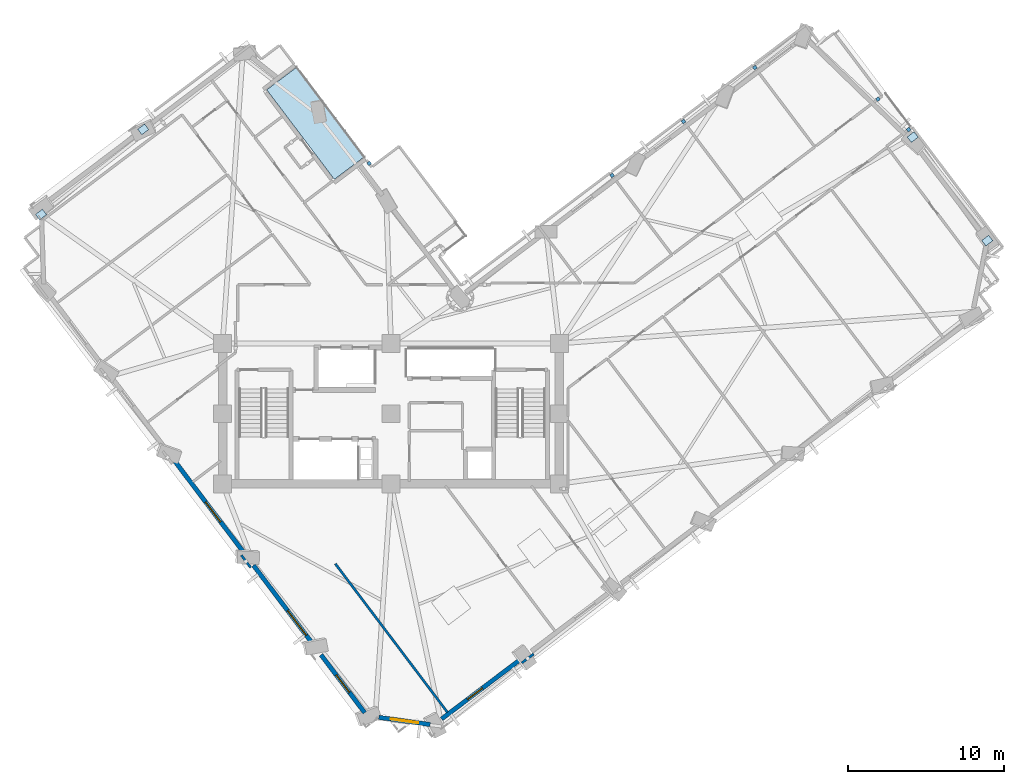
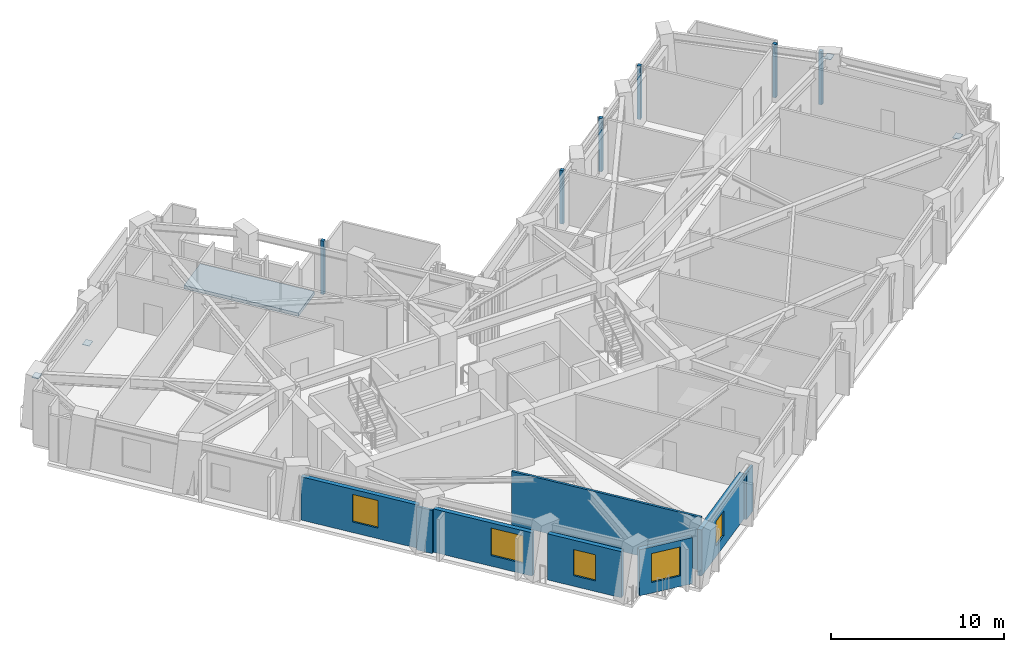
# One storey, part 5 of 15: 10 plates, 8 walls, 5 windows, 1 slab, 5 openings.
"""IFC4 building model written with IfcOpenShell, lengths in metres."""

from ifc_helpers import new_model, si_unit, direction, frame, frame_2d, origin, origin_2d, place, context, subcontext, project, spatial, polyline, rectangle, outline, extrude, material, layer, layer_set, type_object, element, fill, save


model = new_model("IFC4")

# Units and contexts
model_context = context("Model", 3, precision=1e-05, world=origin(), true_north=direction((0.0, 1.0)))
body_context = subcontext(model_context, "Body", "Model", "MODEL_VIEW")
ifc_project = project(units=[si_unit("LENGTHUNIT", "METRE"), si_unit("AREAUNIT", "SQUARE_METRE"), si_unit("VOLUMEUNIT", "CUBIC_METRE"), si_unit("PLANEANGLEUNIT", "RADIAN"), si_unit("MASSUNIT", "GRAM", prefix="KILO")], contexts=[model_context])

# Site, building, storey
site_placement = place(None, origin())
site = spatial("IfcSite", under=ifc_project, at=site_placement, CompositionType="ELEMENT")
building_placement = place(site_placement, origin())
building = spatial("IfcBuilding", under=site, at=building_placement, Name="Gaonmaruhae Medical Tower", CompositionType="ELEMENT")
storey_placement = place(building_placement, frame((0.0, 0.0, 181.800048828125)))
storey = spatial("IfcBuildingStorey", under=building, at=storey_placement, Name="L43", CompositionType="ELEMENT", Elevation=181.800048828125)

# Plates
ifc_material_1 = material(Name="Steel HSA650 (650 MPa)", Category="steel")
ifc_layer_1 = layer(ifc_material_1, 0.028076171875)
ifc_layer_set_1 = layer_set([ifc_layer_1], Name="Steel HSA650 (650 MPa)")
plate_type_1 = type_object("IfcPlateType", Name="GP-02 Tube Brace End Cap Gusset Plate", PredefinedType="USERDEFINED", material=ifc_layer_set_1)
for number, where, z_axis, x_axis, name in (
    (1, (63.034423828125, 23.402587890625, 0.23583984375), (0.0, 0.0, 1.0), (0.798110023334, 0.602511734868, 0.0), "L43 Gusset Cap Plate PLT-L43-PBR-E01A"),
    (2, (58.25146484375, 30.037109375, 3.51611328125), (0.0, 0.0, 1.0), (0.788010753607, 0.615661475326, 0.0), "L43 Gusset Cap Plate PLT-L43-PBR-E01B"),
    (3, (8.911865234375, 30.532470703125, 0.23583984375), (0.0, 0.0, 1.0), (0.798110023334, 0.602511734868, 0.0), "L43 Gusset Cap Plate PLT-L43-PBR-N02A"),
    (4, (2.358642578125, 25.073974609375, 3.51611328125), (0.0, 0.0, 1.0), (0.788010753607, 0.615661475326, 0.0), "L43 Gusset Cap Plate PLT-L43-PBR-N02B"),
):
    element("IfcPlate", number, at=place(storey_placement, frame(where, z_axis=z_axis, x_axis=x_axis)), inside=storey, type_object=plate_type_1, Name=name, ObjectType="GUSSET_PLATE", PredefinedType="USERDEFINED", context=body_context, shape_type="SweptSolid", body=[
        extrude(rectangle(XDim=0.56005859375, YDim=0.43994140625, at=origin_2d()), origin(), (0.0, 0.0, 1.0), 0.028076171875),
    ])
ifc_material_2 = material(Name="Anodised aluminium 6063-T6", Category="aluminium")
ifc_layer_2 = layer(ifc_material_2, 0.011962890625)
ifc_layer_set_2 = layer_set([ifc_layer_2], Name="Anodised aluminium 6063-T6")
plate_type_2 = type_object("IfcPlateType", Name="PP-01 Interior Partition Corner Stiffener Plate", PredefinedType="SHEET", material=ifc_layer_set_2)
for number, where, z_axis, x_axis, name in (
    (5, (38.97412109375, 27.58154296875, 0.0), (0.0, 0.0, 1.0), (0.602567451991, -0.798067958135, 0.0), "L43 Partition Corner Stiffener Plate PLT-L43-JGP-PW078"),
    (6, (43.552978515625, 31.03857421875, 0.0), (0.0, 0.0, 1.0), (0.602567451991, -0.798067958135, 0.0), "L43 Partition Corner Stiffener Plate PLT-L43-JGP-PW084"),
    (7, (48.132080078125, 34.49560546875, 0.0), (0.0, 0.0, 1.0), (0.602567451991, -0.798067958135, 0.0), "L43 Partition Corner Stiffener Plate PLT-L43-JGP-PW088"),
    (8, (56.02587890625, 32.470458984375, 0.0), (0.0, 0.0, 1.0), (-0.798120539026, -0.602497805129, 0.0), "L43 Partition Corner Stiffener Plate PLT-L43-JGP-PW092"),
    (9, (23.39892578125, 28.3544921875, 0.0), (0.0, 0.0, 1.0), (0.602010148653, -0.798488435056, 0.0), "L43 Partition Corner Stiffener Plate PLT-L43-JGP-PW100"),
    (10, (57.989990234375, 30.51953125, 0.0), (0.0, 0.0, 1.0), (0.798330801806, 0.602219171803, 0.0), "L43 Partition Corner Stiffener Plate PLT-L43-JGP-PW119"),
):
    element("IfcPlate", number, at=place(storey_placement, frame(where, z_axis=z_axis, x_axis=x_axis)), inside=storey, type_object=plate_type_2, Name=name, PredefinedType="SHEET", context=body_context, shape_type="SweptSolid", body=[
        extrude(rectangle(XDim=0.219970703125, YDim=0.219970703125, at=origin_2d()), origin(), (0.0, 0.0, 1.0), 3.780029296875),
    ])

# Slab
ifc_material_3 = material(Name="Concrete C40/50", Category="concrete")
ifc_layer_3 = layer(ifc_material_3, 0.239990234375)
ifc_layer_set_3 = layer_set([ifc_layer_3], Name="Concrete C40/50")
slab_type = type_object("IfcSlabType", Name="TS-240 Sky Garden & Recovery Terrace Slab", PredefinedType="FLOOR", material=ifc_layer_set_3)
slab_placement = place(storey_placement, frame((0.0, 0.0, -0.239990234375)))
element("IfcSlab", 11, at=slab_placement, inside=storey, type_object=slab_type, Name="L43 Outdoor Recovery Terrace Slab", PredefinedType="FLOOR", context=body_context, shape_type="SweptSolid", body=[
    extrude(outline(polyline([(21.16845703125, 27.32568359375), (23.083984375, 28.771728515625), (18.745849609375, 34.51806640625), (16.830322265625, 33.072021484375), (21.16845703125, 27.32568359375)])), origin(), (0.0, 0.0, 1.0), 0.239990234375),
])

# Wall, opening, window
ifc_material_4 = material(Name="Precast concrete C45/55", Category="concrete")
ifc_layer_4 = layer(ifc_material_4, 0.280029296875)
ifc_layer_set_4 = layer_set([ifc_layer_4], Name="Precast concrete C45/55")
wall_type_1 = type_object("IfcWallType", Name="EW-280 Upper Precast Masonry-Frame Facade Wall", PredefinedType="SOLIDWALL", material=ifc_layer_set_4)
wall_1_placement = place(storey_placement, frame((33.046875, -3.49609375, 0.0), z_axis=(0.0, 0.0, 1.0), x_axis=(-0.798122378581, -0.602495368287, 0.0)))
wall_1 = element("IfcWall", 12, at=wall_1_placement, inside=storey, type_object=wall_type_1, Name="L43 Precast Masonry-Frame Wall S01-S02", PredefinedType="SOLIDWALL", context=body_context, shape_type="SweptSolid", body=[
    extrude(rectangle(XDim=6.27001953125, YDim=0.280029296875, at=frame_2d((3.135009765625, 0.0))), origin(), (0.0, 0.0, 1.0), 3.264892578125),
])
opening_1_placement = place(wall_1_placement, frame((2.98974609375, 0.0, 0.75)))
opening_1 = element("IfcOpeningElement", 13, at=opening_1_placement, cuts=wall_1, Name="Opening WN-05", PredefinedType="OPENING", context=body_context, shape_type="SweptSolid", body=[
    extrude(rectangle(XDim=1.199951171875, YDim=1.75, at=frame_2d((0.60009765625, 0.875))), frame((0.0, 0.14990234375, 0.0), z_axis=(0.0, -1.0, 0.0), x_axis=(1.0, 0.0, 0.0)), (0.0, 0.0, 1.0), 0.300048828125),
])
ifc_material_5 = material(Name="Anodised aluminium and Low-E double glazing", Category="aluminium")
window_type_1 = type_object("IfcWindowType", Name="WN-05 Support & Staff Punched Window 1200x1750", PartitioningType="SINGLE_PANEL", PredefinedType="WINDOW", material=ifc_material_5)
window_1_placement = place(opening_1_placement, origin())
window_1 = element("IfcWindow", 14, at=window_1_placement, inside=storey, type_object=window_type_1, Name="L43 Modular Facade Window S01", OverallHeight=1.75, OverallWidth=1.199951171875, PartitioningType="SINGLE_PANEL", PredefinedType="WINDOW", context=body_context, shape_type="SweptSolid", body=[
    extrude(rectangle(XDim=1.199951171875, YDim=1.75, at=frame_2d((0.60009765625, 0.875))), frame((0.0, 0.030029296875, 0.0), z_axis=(0.0, -1.0, 0.0), x_axis=(1.0, 0.0, 0.0)), (0.0, 0.0, 1.0), 0.06005859375),
])
fill(opening_1, window_1)

wall_2_placement = place(storey_placement, frame((15.3876953125, 3.365478515625, 0.0), z_axis=(0.0, 0.0, 1.0), x_axis=(-0.602528511306, 0.798097358136, 0.0)))
wall_2 = element("IfcWall", 15, at=wall_2_placement, inside=storey, type_object=wall_type_1, Name="L43 Precast Masonry-Frame Wall W03-W04", PredefinedType="SOLIDWALL", context=body_context, shape_type="SweptSolid", body=[
    extrude(rectangle(XDim=7.3603515625, YDim=0.280029296875, at=frame_2d((3.68017578125, 0.0))), origin(), (0.0, 0.0, 1.0), 3.06494140625),
])
opening_2_placement = place(wall_2_placement, frame((2.513916015625, 0.0, 0.75)))
opening_2 = element("IfcOpeningElement", 16, at=opening_2_placement, cuts=wall_2, Name="Opening WN-01", PredefinedType="OPENING", context=body_context, shape_type="SweptSolid", body=[
    extrude(rectangle(XDim=1.60009765625, YDim=1.949951171875, at=frame_2d((0.800048828125, 0.97509765625))), frame((0.0, 0.14990234375, 0.0), z_axis=(0.0, -1.0, 0.0), x_axis=(1.0, 0.0, 0.0)), (0.0, 0.0, 1.0), 0.300048828125),
])
window_type_2 = type_object("IfcWindowType", Name="WN-01 Ward Punched Acoustic Window 1600x1950", PartitioningType="SINGLE_PANEL", PredefinedType="WINDOW", material=ifc_material_5)
window_2_placement = place(opening_2_placement, origin())
window_2 = element("IfcWindow", 17, at=window_2_placement, inside=storey, type_object=window_type_2, Name="L43 Modular Facade Window W03", OverallHeight=1.949951171875, OverallWidth=1.60009765625, PartitioningType="SINGLE_PANEL", PredefinedType="WINDOW", context=body_context, shape_type="SweptSolid", body=[
    extrude(rectangle(XDim=1.60009765625, YDim=1.949951171875, at=frame_2d((0.800048828125, 0.97509765625))), frame((0.0, 0.030029296875, 0.0), z_axis=(0.0, -1.0, 0.0), x_axis=(1.0, 0.0, 0.0)), (0.0, 0.0, 1.0), 0.06005859375),
])
fill(opening_2, window_2)

wall_3_placement = place(storey_placement, frame((19.731689453125, -2.388916015625, 0.0), z_axis=(0.0, 0.0, 1.0), x_axis=(-0.602495081799, 0.798122594849, 0.0)))
wall_3 = element("IfcWall", 18, at=wall_3_placement, inside=storey, type_object=wall_type_1, Name="L43 Precast Masonry-Frame Wall W04-W05", PredefinedType="SOLIDWALL", context=body_context, shape_type="SweptSolid", body=[
    extrude(rectangle(XDim=6.2236328125, YDim=0.280029296875, at=frame_2d((3.11181640625, 0.0))), origin(), (0.0, 0.0, 1.0), 3.06494140625),
])
opening_3_placement = place(wall_3_placement, frame((0.60009765625, 0.0, 0.75)))
opening_3 = element("IfcOpeningElement", 19, at=opening_3_placement, cuts=wall_3, Name="Opening WN-02", PredefinedType="OPENING", context=body_context, shape_type="SweptSolid", body=[
    extrude(rectangle(XDim=2.0, YDim=1.949951171875, at=frame_2d((1.0, 0.97509765625))), frame((0.0, 0.14990234375, 0.0), z_axis=(0.0, -1.0, 0.0), x_axis=(1.0, 0.0, 0.0)), (0.0, 0.0, 1.0), 0.300048828125),
])
window_type_3 = type_object("IfcWindowType", Name="WN-02 Double-Bed Ward Punched Window 2000x1950", PartitioningType="SINGLE_PANEL", PredefinedType="WINDOW", material=ifc_material_5)
window_3_placement = place(opening_3_placement, origin())
window_3 = element("IfcWindow", 20, at=window_3_placement, inside=storey, type_object=window_type_3, Name="L43 Modular Facade Window W04", OverallHeight=1.949951171875, OverallWidth=2.0, PartitioningType="SINGLE_PANEL", PredefinedType="WINDOW", context=body_context, shape_type="SweptSolid", body=[
    extrude(rectangle(XDim=2.0, YDim=1.949951171875, at=frame_2d((1.0, 0.97509765625))), frame((0.0, 0.030029296875, 0.0), z_axis=(0.0, -1.0, 0.0), x_axis=(1.0, 0.0, 0.0)), (0.0, 0.0, 1.0), 0.06005859375),
])
fill(opening_3, window_3)

wall_4_placement = place(storey_placement, frame((23.113525390625, -6.86865234375, 0.0), z_axis=(0.0, 0.0, 1.0), x_axis=(-0.602493415716, 0.798123852556, 0.0)))
wall_4 = element("IfcWall", 21, at=wall_4_placement, inside=storey, type_object=wall_type_1, Name="L43 Precast Masonry-Frame Wall W05-W06", PredefinedType="SOLIDWALL", context=body_context, shape_type="SweptSolid", body=[
    extrude(rectangle(XDim=4.6474609375, YDim=0.280029296875, at=frame_2d((2.32373046875, 0.0))), origin(), (0.0, 0.0, 1.0), 3.264892578125),
])
opening_4_placement = place(wall_4_placement, frame((1.627197265625, 0.0, 0.75)))
opening_4 = element("IfcOpeningElement", 22, at=opening_4_placement, cuts=wall_4, Name="Opening WN-03", PredefinedType="OPENING", context=body_context, shape_type="SweptSolid", body=[
    extrude(rectangle(XDim=1.39990234375, YDim=1.85009765625, at=frame_2d((0.699951171875, 0.925048828125))), frame((0.0, 0.14990234375, 0.0), z_axis=(0.0, -1.0, 0.0), x_axis=(1.0, 0.0, 0.0)), (0.0, 0.0, 1.0), 0.300048828125),
])
window_type_4 = type_object("IfcWindowType", Name="WN-03 Isolation Ward Punched Window 1400x1850", PartitioningType="SINGLE_PANEL", PredefinedType="WINDOW", material=ifc_material_5)
window_4_placement = place(opening_4_placement, origin())
window_4 = element("IfcWindow", 23, at=window_4_placement, inside=storey, type_object=window_type_4, Name="L43 Modular Facade Window W05", OverallHeight=1.85009765625, OverallWidth=1.39990234375, PartitioningType="SINGLE_PANEL", PredefinedType="WINDOW", context=body_context, shape_type="SweptSolid", body=[
    extrude(rectangle(XDim=1.39990234375, YDim=1.85009765625, at=frame_2d((0.699951171875, 0.925048828125))), frame((0.0, 0.030029296875, 0.0), z_axis=(0.0, -1.0, 0.0), x_axis=(1.0, 0.0, 0.0)), (0.0, 0.0, 1.0), 0.06005859375),
])
fill(opening_4, window_4)

wall_5_placement = place(storey_placement, frame((27.3115234375, -7.62841796875, 0.0), z_axis=(0.0, 0.0, 1.0), x_axis=(-0.990392729866, 0.13828318997, 0.0)))
wall_5 = element("IfcWall", 24, at=wall_5_placement, inside=storey, type_object=wall_type_1, Name="L43 Precast Masonry-Frame Wall W06-S01", PredefinedType="SOLIDWALL", context=body_context, shape_type="SweptSolid", body=[
    extrude(rectangle(XDim=3.32275390625, YDim=0.280029296875, at=frame_2d((1.661376953125, 0.0))), origin(), (0.0, 0.0, 1.0), 3.264892578125),
])
opening_5_placement = place(wall_5_placement, frame((0.760986328125, 0.0, 0.75)))
opening_5 = element("IfcOpeningElement", 25, at=opening_5_placement, cuts=wall_5, Name="Opening WN-04", PredefinedType="OPENING", context=body_context, shape_type="SweptSolid", body=[
    extrude(rectangle(XDim=1.800048828125, YDim=2.050048828125, at=frame_2d((0.89990234375, 1.02490234375))), frame((0.0, 0.14990234375, 0.0), z_axis=(0.0, -1.0, 0.0), x_axis=(1.0, 0.0, 0.0)), (0.0, 0.0, 1.0), 0.300048828125),
])
window_type_5 = type_object("IfcWindowType", Name="WN-04 Clinic & Consult Punched Window 1800x2050", PartitioningType="SINGLE_PANEL", PredefinedType="WINDOW", material=ifc_material_5)
window_5_placement = place(opening_5_placement, origin())
window_5 = element("IfcWindow", 26, at=window_5_placement, inside=storey, type_object=window_type_5, Name="L43 Modular Facade Window W06", OverallHeight=2.050048828125, OverallWidth=1.800048828125, PartitioningType="SINGLE_PANEL", PredefinedType="WINDOW", context=body_context, shape_type="SweptSolid", body=[
    extrude(rectangle(XDim=1.800048828125, YDim=2.050048828125, at=frame_2d((0.89990234375, 1.02490234375))), frame((0.0, 0.030029296875, 0.0), z_axis=(0.0, -1.0, 0.0), x_axis=(1.0, 0.0, 0.0)), (0.0, 0.0, 1.0), 0.06005859375),
])
fill(opening_5, window_5)

# Walls
ifc_material_6 = material(Name="Gypsum board partition", Category="gypsum")
ifc_layer_5 = layer(ifc_material_6, 0.14990234375)
ifc_layer_set_5 = layer_set([ifc_layer_5], Name="Gypsum board partition")
wall_type_2 = type_object("IfcWallType", Name="PW-150 Rated Clinical Corridor Partition", PredefinedType="PARTITIONING", material=ifc_layer_set_5)
wall_6_placement = place(storey_placement, frame((28.419921875, -6.844970703125, 0.0), z_axis=(0.0, 0.0, 1.0), x_axis=(-0.602490997178, 0.798125678274, 0.0)))
element("IfcWall", 27, at=wall_6_placement, inside=storey, type_object=wall_type_2, Name="L43 Interior Partition L43-SUP02-9", PredefinedType="PARTITIONING", context=body_context, shape_type="SweptSolid", body=[
    extrude(rectangle(XDim=11.935302734375, YDim=0.14990234375, at=frame_2d((5.9677734375, 0.0))), origin(), (0.0, 0.0, 1.0), 3.780029296875),
])
wall_7_placement = place(storey_placement, frame((33.945068359375, -3.10595703125, 0.0), z_axis=(0.0, 0.0, 1.0), x_axis=(-0.797996081662, -0.602662636681, 0.0)))
element("IfcWall", 28, at=wall_7_placement, inside=storey, type_object=wall_type_2, Name="L43 Interior Partition L43-SUP03-10", PredefinedType="PARTITIONING", context=body_context, shape_type="SweptSolid", body=[
    extrude(rectangle(XDim=0.952392578125, YDim=0.14990234375, at=frame_2d((0.47607421875, 0.0))), origin(), (0.0, 0.0, 1.0), 3.264892578125),
])
wall_8_placement = place(storey_placement, frame((15.798095703125, 2.43994140625, 0.0), z_axis=(0.0, 0.0, 1.0), x_axis=(-0.602374167364, 0.798213857617, 0.0)))
element("IfcWall", 29, at=wall_8_placement, inside=storey, type_object=wall_type_2, Name="L43 Interior Partition L43-WOF12-38", PredefinedType="PARTITIONING", context=body_context, shape_type="SweptSolid", body=[
    extrude(rectangle(XDim=0.986083984375, YDim=0.14990234375, at=frame_2d((0.4931640625, 0.0))), origin(), (0.0, 0.0, 1.0), 3.06494140625),
])

save(model, "model.ifc")
